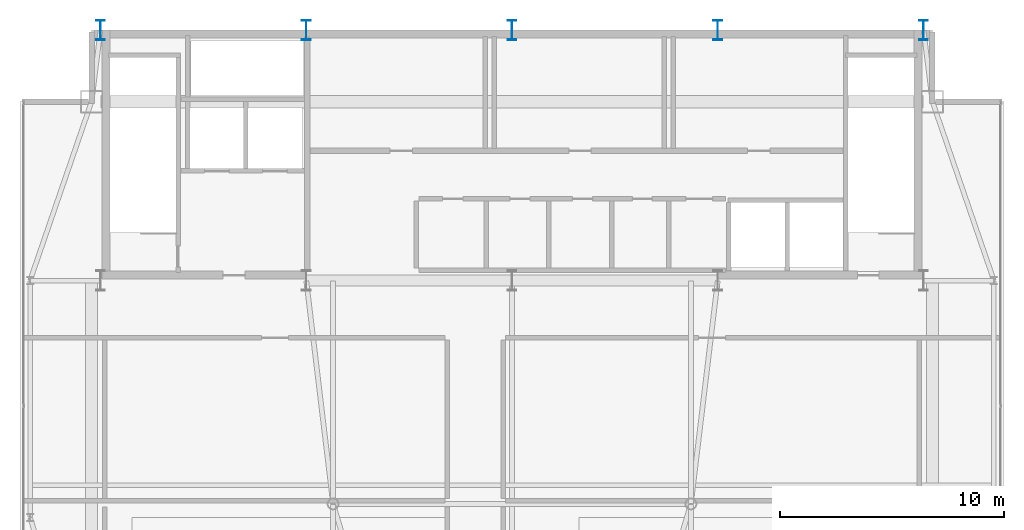
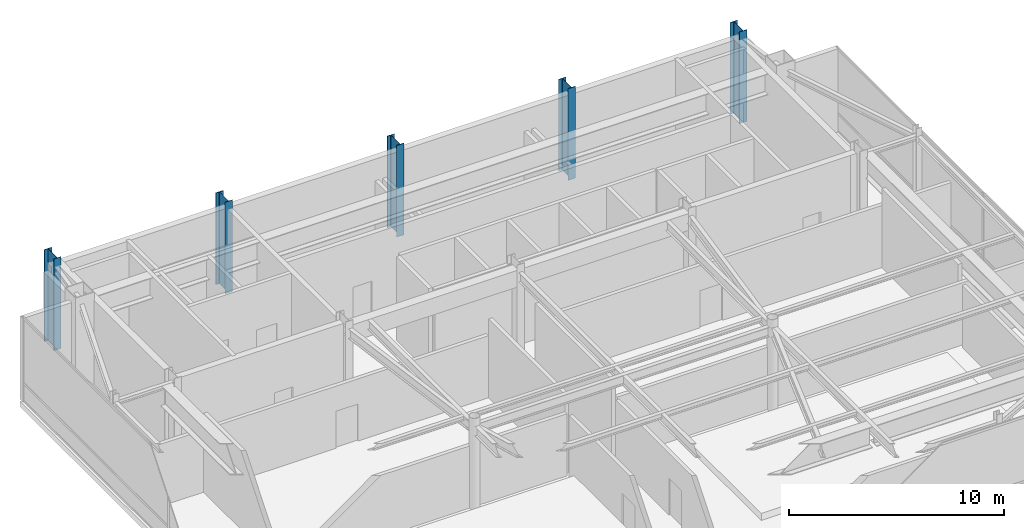
# One storey, part 3 of 20: 5 columns.
"""IFC4 building model written with IfcOpenShell, lengths in metres."""

from ifc_helpers import new_model, si_unit, direction, frame, origin, origin_2d, place, context, subcontext, project, spatial, i_section, extrude, source, transform, mapped, material, material_profile, profile_set, type_object, type_shapes, element, save


model = new_model("IFC4")

# Units and contexts
model_context = context("Model", 3, precision=1e-05, world=origin(), true_north=direction((0.0, 1.0)))
body_context = subcontext(model_context, "Body", "Model", "MODEL_VIEW")
ifc_project = project(units=[si_unit("LENGTHUNIT", "METRE"), si_unit("AREAUNIT", "SQUARE_METRE"), si_unit("VOLUMEUNIT", "CUBIC_METRE"), si_unit("PLANEANGLEUNIT", "RADIAN"), si_unit("MASSUNIT", "GRAM", prefix="KILO")], contexts=[model_context])

# Site, building, storey
site_placement = place(None, origin())
site = spatial("IfcSite", under=ifc_project, at=site_placement, CompositionType="ELEMENT")
building_placement = place(site_placement, origin())
building = spatial("IfcBuilding", under=site, at=building_placement, Name="Varnel Quay Broadcast Tower", CompositionType="ELEMENT")
storey_placement = place(building_placement, frame((0.0, 0.0, 314.60009765625)))
storey = spatial("IfcBuildingStorey", under=building, at=storey_placement, Name="L78", CompositionType="ELEMENT", Elevation=314.60009765625)

# Columns
ifc_material = material(Name="Structural Steel CSA G40.21 350WT", Category="steel")
ifc_material_profile = material_profile(ifc_material, i_section(OverallWidth=0.39990234375, OverallDepth=0.89990234375, WebThickness=0.01611328125, FlangeThickness=0.028076171875, FilletRadius=0.01611328125, at=origin_2d()), Name="WWF900X309")
ifc_profile_set = profile_set([ifc_material_profile], Name="Structural Steel CSA G40.21 350WT")
column_type = type_object("IfcColumnType", Name="Col_WWF900X309", PredefinedType="COLUMN", material=ifc_profile_set)
shared_shape = source(origin(), body_context, "Body", "SweptSolid", [
    extrude(i_section(OverallWidth=0.39990234375, OverallDepth=0.89990234375, WebThickness=0.01611328125, FlangeThickness=0.028076171875, FilletRadius=0.01611328125, at=origin_2d()), origin(), (0.0, 0.0, 1.0), 5.199951171875),
])
type_shapes(column_type, [shared_shape])
for number, where, z_axis, x_axis, name in (
    (1, (15.60009765625, 46.800048828125, 0.0), (0.0, 0.0, 1.0), (1.0, 0.0, 0.0), "L78 Column CC-N1"),
    (2, (24.800048828125, 46.800048828125, 0.0), (0.0, 0.0, 1.0), (1.0, 0.0, 0.0), "L78 Column CC-N2"),
    (3, (34.0, 46.800048828125, 0.0), (0.0, 0.0, 1.0), (1.0, 0.0, 0.0), "L78 Column CC-N3"),
    (4, (43.199951171875, 46.800048828125, 0.0), (0.0, 0.0, 1.0), (1.0, 0.0, 0.0), "L78 Column CC-N4"),
    (5, (52.39990234375, 46.800048828125, 0.0), (0.0, 0.0, 1.0), (1.0, 0.0, 0.0), "L78 Column CC-N5"),
):
    element("IfcColumn", number, at=place(storey_placement, frame(where, z_axis=z_axis, x_axis=x_axis)), inside=storey, type_object=column_type, Name=name, PredefinedType="COLUMN", context=body_context, shape_type="MappedRepresentation", body=[
        mapped(shared_shape, transform((0.0, 0.0, 0.0), x_axis=(1.0, 0.0, 0.0), y_axis=(0.0, 1.0, 0.0), z_axis=(0.0, 0.0, 1.0), scale=1.0)),
    ])

save(model, "model.ifc")
